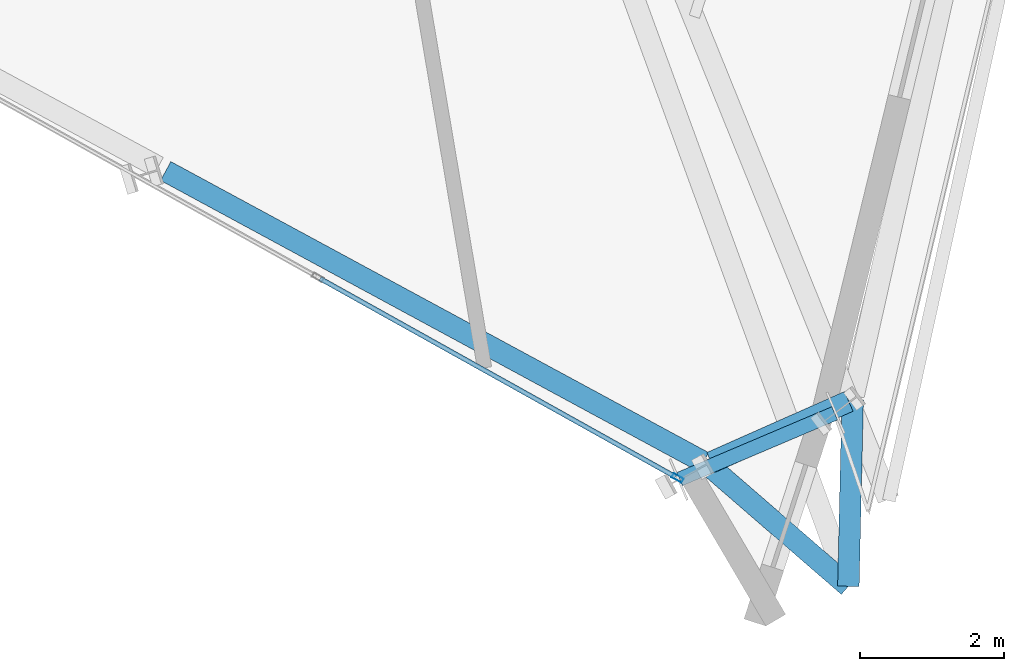
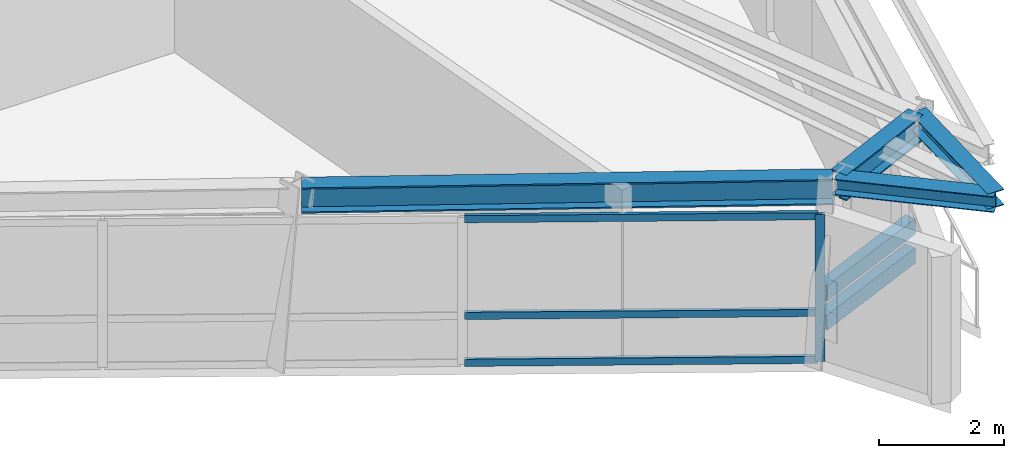
# One storey, part 3 of 13: 6 members, 4 beams, 1 element without a shape of its own.
"""IFC4 building model written with IfcOpenShell, lengths in metres."""

from ifc_helpers import new_model, si_unit, direction, frame, origin, origin_2d, place, context, subcontext, project, spatial, hollow_rectangle, i_section, extrude, source, transform, mapped, material, material_profile, profile_set, type_object, element, aggregate, save


model = new_model("IFC4")

# Units and contexts
model_context = context("Model", 3, precision=1e-05, world=origin(), true_north=direction((0.0, 1.0)))
body_context = subcontext(model_context, "Body", "Model", "MODEL_VIEW")
ifc_project = project(units=[si_unit("LENGTHUNIT", "METRE"), si_unit("AREAUNIT", "SQUARE_METRE"), si_unit("VOLUMEUNIT", "CUBIC_METRE"), si_unit("PLANEANGLEUNIT", "RADIAN"), si_unit("MASSUNIT", "GRAM", prefix="KILO")], contexts=[model_context])

# Site, building, storey
site_placement = place(None, origin())
site = spatial("IfcSite", under=ifc_project, at=site_placement, CompositionType="ELEMENT")
building_placement = place(site_placement, origin())
building = spatial("IfcBuilding", under=site, at=building_placement, Name="Olszyna Solenne Hotel", CompositionType="ELEMENT")
storey_placement = place(building_placement, frame((0.0, 0.0, 266.89990234375)))
storey = spatial("IfcBuildingStorey", under=building, at=storey_placement, Name="L71", CompositionType="ELEMENT", Elevation=266.89990234375)

# Beams
ifc_material_1 = material(Name="Steel S355J2", Category="steel")
ifc_material_profile_1 = material_profile(ifc_material_1, i_section(OverallWidth=0.300048828125, OverallDepth=0.5, WebThickness=0.014404296875, FlangeThickness=0.028076171875, at=origin_2d()), Name="HEB 500", Category="load-bearing")
ifc_profile_set_1 = profile_set([ifc_material_profile_1], Name="Steel S355J2")
beam_type_1 = type_object("IfcBeamType", Name="BM-S3", PredefinedType="BEAM", material=ifc_profile_set_1)
shared_shape_1 = source(origin(), body_context, "Body", "SweptSolid", [
    extrude(i_section(OverallWidth=0.300048828125, OverallDepth=0.5, WebThickness=0.014404296875, FlangeThickness=0.028076171875, at=origin_2d()), origin(), (0.0, 0.0, 1.0), 8.508056640625),
])
beam_1_placement = place(storey_placement, frame((37.031005859375, 8.761474609375, 3.130126953125), z_axis=(0.879497178218, -0.475904101166, 0.0), x_axis=(0.475904101166, 0.879497178218, 0.0)))
element("IfcBeam", 1, at=beam_1_placement, inside=storey, type_object=beam_type_1, Name="Perimeter spandrel beam BM-S3 B-L71-2089", PredefinedType="BEAM", context=body_context, shape_type="MappedRepresentation", body=[
    mapped(shared_shape_1, transform((0.0, 0.0, 0.0), x_axis=(1.0, 0.0, 0.0), y_axis=(0.0, 1.0, 0.0), z_axis=(0.0, 0.0, 1.0), scale=1.0)),
])
shared_shape_2 = source(origin(), body_context, "Body", "SweptSolid", [
    extrude(i_section(OverallWidth=0.300048828125, OverallDepth=0.5, WebThickness=0.014404296875, FlangeThickness=0.028076171875, at=origin_2d()), origin(), (0.0, 0.0, 1.0), 2.092529296875),
])
beam_2_placement = place(storey_placement, frame((44.62158203125, 4.7080078125, 3.130126953125), z_axis=(0.914229633583, 0.405196467258, 0.0), x_axis=(-0.405196467258, 0.914229633583, 0.0)))
element("IfcBeam", 2, at=beam_2_placement, inside=storey, type_object=beam_type_1, Name="Perimeter spandrel beam BM-S3 B-L71-2090", PredefinedType="BEAM", context=body_context, shape_type="MappedRepresentation", body=[
    mapped(shared_shape_2, transform((0.0, 0.0, 0.0), x_axis=(1.0, 0.0, 0.0), y_axis=(0.0, 1.0, 0.0), z_axis=(0.0, 0.0, 1.0), scale=1.0)),
])
ifc_material_profile_2 = material_profile(ifc_material_1, i_section(OverallWidth=0.300048828125, OverallDepth=0.31005859375, WebThickness=0.009033203125, FlangeThickness=0.015380859375, at=origin_2d()), Name="HEA 320", Category="load-bearing")
ifc_profile_set_2 = profile_set([ifc_material_profile_2], Name="Steel S355J2")
beam_type_2 = type_object("IfcBeamType", Name="BM-G3", PredefinedType="BEAM", material=ifc_profile_set_2)
shared_shape_3 = source(origin(), body_context, "Body", "SweptSolid", [
    extrude(i_section(OverallWidth=0.300048828125, OverallDepth=0.31005859375, WebThickness=0.009033203125, FlangeThickness=0.015380859375, at=origin_2d()), origin(), (0.0, 0.0, 1.0), 2.59765625),
])
beam_3_placement = place(storey_placement, frame((44.566650390625, 4.683837890625, 3.22509765625), z_axis=(0.755949519064, -0.654629914246, 0.0), x_axis=(0.654629914246, 0.755949519064, 0.0)))
element("IfcBeam", 3, at=beam_3_placement, inside=storey, type_object=beam_type_2, Name="Prism side edge beam BM-G3 B-L71-2103", PredefinedType="BEAM", context=body_context, shape_type="MappedRepresentation", body=[
    mapped(shared_shape_3, transform((0.0, 0.0, 0.0), x_axis=(1.0, 0.0, 0.0), y_axis=(0.0, 1.0, 0.0), z_axis=(0.0, 0.0, 1.0), scale=1.0)),
])
shared_shape_4 = source(origin(), body_context, "Body", "SweptSolid", [
    extrude(i_section(OverallWidth=0.300048828125, OverallDepth=0.31005859375, WebThickness=0.009033203125, FlangeThickness=0.015380859375, at=origin_2d()), origin(), (0.0, 0.0, 1.0), 2.597412109375),
])
beam_4_placement = place(storey_placement, frame((46.589599609375, 5.580078125, 3.22509765625), z_axis=(-0.022840974422, -0.999739110912, 0.0), x_axis=(0.999739110912, -0.022840974422, 0.0)))
element("IfcBeam", 4, at=beam_4_placement, inside=storey, type_object=beam_type_2, Name="Prism side edge beam BM-G3 B-L71-2104", PredefinedType="BEAM", context=body_context, shape_type="MappedRepresentation", body=[
    mapped(shared_shape_4, transform((0.0, 0.0, 0.0), x_axis=(1.0, 0.0, 0.0), y_axis=(0.0, 1.0, 0.0), z_axis=(0.0, 0.0, 1.0), scale=1.0)),
])

# Members
ifc_material_profile_3 = material_profile(ifc_material_1, hollow_rectangle(XDim=0.199951171875, YDim=0.300048828125, WallThickness=0.01611328125, at=origin_2d()), Name="RHS 300x200x16", Category="load-bearing")
ifc_profile_set_3 = profile_set([ifc_material_profile_3], Name="Steel S355J2")
member_type_1 = type_object("IfcMemberType", Name="CH-PR1", PredefinedType="CHORD", material=ifc_profile_set_3)
shared_shape_5 = source(origin(), body_context, "Body", "SweptSolid", [
    extrude(hollow_rectangle(XDim=0.199951171875, YDim=0.300048828125, WallThickness=0.01611328125, at=origin_2d()), origin(), (0.0, 0.0, 1.0), 2.343994140625),
])
for number, where, z_axis, x_axis, name in (
    (5, (44.181884765625, 4.473876953125, 1.35009765625), (0.920523898747, 0.390686257547, 0.0), (-0.390686257547, 0.920523898747, 0.0), "Glass-prism tie chord CH-PR1 M-L71-PR1"),
    (6, (44.181884765625, 4.473876953125, 0.780029296875), (0.920523898747, 0.390686257547, 0.0), (-0.390686257547, 0.920523898747, 0.0), "Glass-prism tie chord CH-PR1 M-L71-PR2"),
):
    element("IfcMember", number, at=place(storey_placement, frame(where, z_axis=z_axis, x_axis=x_axis)), inside=storey, type_object=member_type_1, Name=name, PredefinedType="CHORD", context=body_context, shape_type="MappedRepresentation", body=[
        mapped(shared_shape_5, transform((0.0, 0.0, 0.0), x_axis=(1.0, 0.0, 0.0), y_axis=(0.0, 1.0, 0.0), z_axis=(0.0, 0.0, 1.0), scale=1.0)),
    ])

# Curtain wall, members
ifc_material_2 = material(Name="Anodised bronze aluminium", Category="aluminium")
curtain_wall_type = type_object("IfcCurtainWallType", Name="CW-SYS-4", PredefinedType="NOTDEFINED", material=ifc_material_2)
curtain_wall_placement = place(storey_placement, origin())
curtain_wall = element("IfcCurtainWall", 7, at=curtain_wall_placement, inside=storey, type_object=curtain_wall_type, Name="Unitised curtain wall CW-SYS-4 CW-L71-01", PredefinedType="NOTDEFINED")
ifc_material_profile_4 = material_profile(ifc_material_2, hollow_rectangle(XDim=0.06494140625, YDim=0.159912109375, WallThickness=0.00390625, at=origin_2d()), Name="MULL 160x65x4", Category="load-bearing")
ifc_profile_set_4 = profile_set([ifc_material_profile_4], Name="Anodised bronze aluminium")
member_type_2 = type_object("IfcMemberType", Name="CW-M3", PredefinedType="MULLION", material=ifc_profile_set_4)
shared_shape_6 = source(origin(), body_context, "Body", "SweptSolid", [
    extrude(hollow_rectangle(XDim=0.06494140625, YDim=0.159912109375, WallThickness=0.00390625, at=origin_2d()), origin(), (0.0, 0.0, 1.0), 2.8720703125),
])
member_1_placement = place(storey_placement, frame((44.153564453125, 4.48974609375, 0.0), z_axis=(0.0, 0.0, 1.0), x_axis=(0.487245732565, 0.873264906026, 0.0)))
member_1 = element("IfcMember", 8, at=member_1_placement, type_object=member_type_2, Name="Curtain-wall mullion CW-M3 CM-L71-01-04", PredefinedType="MULLION", context=body_context, shape_type="MappedRepresentation", body=[
    mapped(shared_shape_6, transform((0.0, 0.0, 0.0), x_axis=(1.0, 0.0, 0.0), y_axis=(0.0, 1.0, 0.0), z_axis=(0.0, 0.0, 1.0), scale=1.0)),
])
ifc_material_profile_5 = material_profile(ifc_material_2, hollow_rectangle(XDim=0.06494140625, YDim=0.139892578125, WallThickness=0.00390625, at=origin_2d()), Name="TRAN 140x65x4", Category="load-bearing")
ifc_profile_set_5 = profile_set([ifc_material_profile_5], Name="Anodised bronze aluminium")
member_type_3 = type_object("IfcMemberType", Name="CW-T2", PredefinedType="USERDEFINED", material=ifc_profile_set_5)
shared_shape_7 = source(origin(), body_context, "Body", "SweptSolid", [
    extrude(hollow_rectangle(XDim=0.06494140625, YDim=0.139892578125, WallThickness=0.00390625, at=origin_2d()), origin(), (0.0, 0.0, 1.0), 5.664794921875),
])
member_2_placement = place(storey_placement, frame((39.178466796875, 7.265625, 0.03271484375), z_axis=(0.873253146255, -0.487266808388, 0.0), x_axis=(0.487266808388, 0.873253146255, 0.0)))
member_2 = element("IfcMember", 9, at=member_2_placement, type_object=member_type_3, Name="Curtain-wall transom CW-T2 CT-L71-01-07", ObjectType="TRANSOM", PredefinedType="USERDEFINED", context=body_context, shape_type="MappedRepresentation", body=[
    mapped(shared_shape_7, transform((0.0, 0.0, 0.0), x_axis=(1.0, 0.0, 0.0), y_axis=(0.0, 1.0, 0.0), z_axis=(0.0, 0.0, 1.0), scale=1.0)),
])
member_3_placement = place(storey_placement, frame((39.178466796875, 7.265625, 0.9501953125), z_axis=(0.873253146255, -0.487266808388, 0.0), x_axis=(0.487266808388, 0.873253146255, 0.0)))
member_3 = element("IfcMember", 10, at=member_3_placement, type_object=member_type_3, Name="Curtain-wall transom CW-T2 CT-L71-01-08", ObjectType="TRANSOM", PredefinedType="USERDEFINED", context=body_context, shape_type="MappedRepresentation", body=[
    mapped(shared_shape_7, transform((0.0, 0.0, 0.0), x_axis=(1.0, 0.0, 0.0), y_axis=(0.0, 1.0, 0.0), z_axis=(0.0, 0.0, 1.0), scale=1.0)),
])
member_4_placement = place(storey_placement, frame((39.178466796875, 7.265625, 2.839599609375), z_axis=(0.873253146255, -0.487266808388, 0.0), x_axis=(0.487266808388, 0.873253146255, 0.0)))
member_4 = element("IfcMember", 11, at=member_4_placement, type_object=member_type_3, Name="Curtain-wall transom CW-T2 CT-L71-01-09", ObjectType="TRANSOM", PredefinedType="USERDEFINED", context=body_context, shape_type="MappedRepresentation", body=[
    mapped(shared_shape_7, transform((0.0, 0.0, 0.0), x_axis=(1.0, 0.0, 0.0), y_axis=(0.0, 1.0, 0.0), z_axis=(0.0, 0.0, 1.0), scale=1.0)),
])
aggregate(curtain_wall, [member_1, member_2, member_3, member_4])

save(model, "model.ifc")
